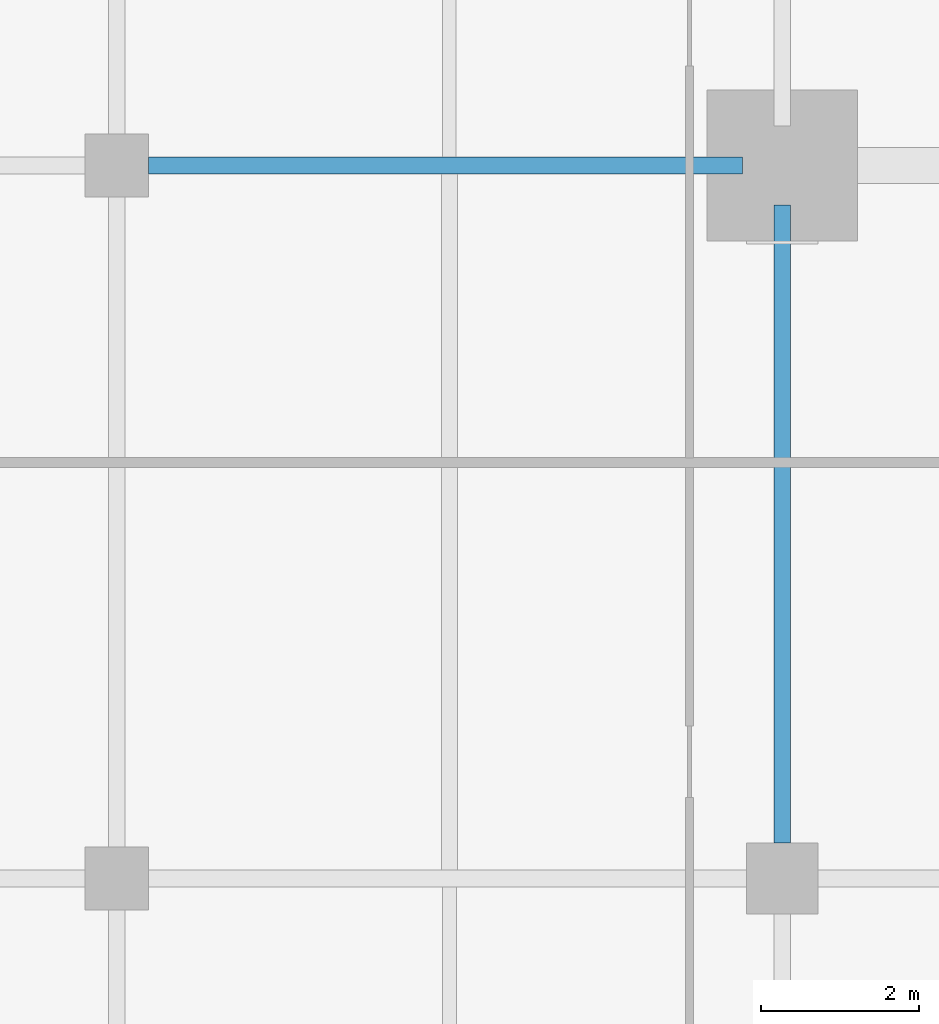
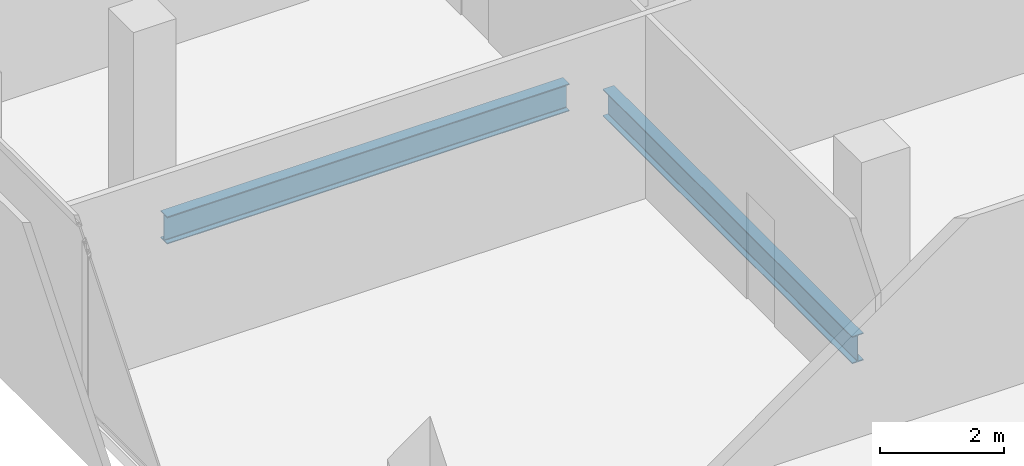
# One storey, part 9 of 33: 2 beams.
"""IFC4 building model written with IfcOpenShell, lengths in metres."""

from ifc_helpers import new_model, si_unit, direction, frame, origin, origin_2d, place, context, subcontext, project, spatial, i_section, extrude, material, material_profile, profile_set, type_object, element, save


model = new_model("IFC4")

# Units and contexts
model_context = context("Model", 3, precision=1e-05, world=origin(), true_north=direction((0.0, 1.0)))
body_context = subcontext(model_context, "Body", "Model", "MODEL_VIEW")
ifc_project = project(units=[si_unit("LENGTHUNIT", "METRE"), si_unit("AREAUNIT", "SQUARE_METRE"), si_unit("VOLUMEUNIT", "CUBIC_METRE"), si_unit("PLANEANGLEUNIT", "RADIAN"), si_unit("MASSUNIT", "GRAM", prefix="KILO")], contexts=[model_context])

# Site, building, storey
site_placement = place(None, origin())
site = spatial("IfcSite", under=ifc_project, at=site_placement, CompositionType="ELEMENT")
building_placement = place(site_placement, origin())
building = spatial("IfcBuilding", under=site, at=building_placement, Name="Maruvema Waterfront Hotel and Observation Tower", CompositionType="ELEMENT")
storey_placement = place(building_placement, frame((0.0, 0.0, 200.550048828125)))
storey = spatial("IfcBuildingStorey", under=building, at=storey_placement, Name="L49", CompositionType="ELEMENT", Elevation=200.550048828125)

# Beams
ifc_material = material(Name="Steel ASTM A572 Grade 50", Category="steel")
ifc_material_profile = material_profile(ifc_material, i_section(OverallWidth=0.2109375, OverallDepth=0.5390625, WebThickness=0.01171875, FlangeThickness=0.018798828125, FilletRadius=0.014892578125, at=origin_2d()), Name="W530x109.0")
ifc_profile_set = profile_set([ifc_material_profile], Name="Steel ASTM A572 Grade 50")
beam_type = type_object("IfcBeamType", Name="Primary Floor Girder W530x109.0", PredefinedType="BEAM", material=ifc_profile_set)
beam_1_placement = place(storey_placement, frame((17.199951171875, 27.0, -0.509521484375), z_axis=(1.0, 0.0, 0.0), x_axis=(0.0, 1.0, 0.0)))
element("IfcBeam", 1, at=beam_1_placement, inside=storey, type_object=beam_type, Name="L49 Floor Girder EW-19", PredefinedType="BEAM", context=body_context, shape_type="SweptSolid", body=[
    extrude(i_section(OverallWidth=0.2109375, OverallDepth=0.5390625, WebThickness=0.01171875, FlangeThickness=0.018798828125, FilletRadius=0.014892578125, at=origin_2d()), origin(), (0.0, 0.0, 1.0), 7.5),
])
beam_2_placement = place(storey_placement, frame((25.199951171875, 18.449951171875, -0.509521484375), z_axis=(0.0, 1.0, 0.0), x_axis=(-1.0, 0.0, 0.0)))
element("IfcBeam", 2, at=beam_2_placement, inside=storey, type_object=beam_type, Name="L49 Floor Girder NS-11", PredefinedType="BEAM", context=body_context, shape_type="SweptSolid", body=[
    extrude(i_section(OverallWidth=0.2109375, OverallDepth=0.5390625, WebThickness=0.01171875, FlangeThickness=0.018798828125, FilletRadius=0.014892578125, at=origin_2d()), origin(), (0.0, 0.0, 1.0), 8.050048828125),
])

save(model, "model.ifc")
